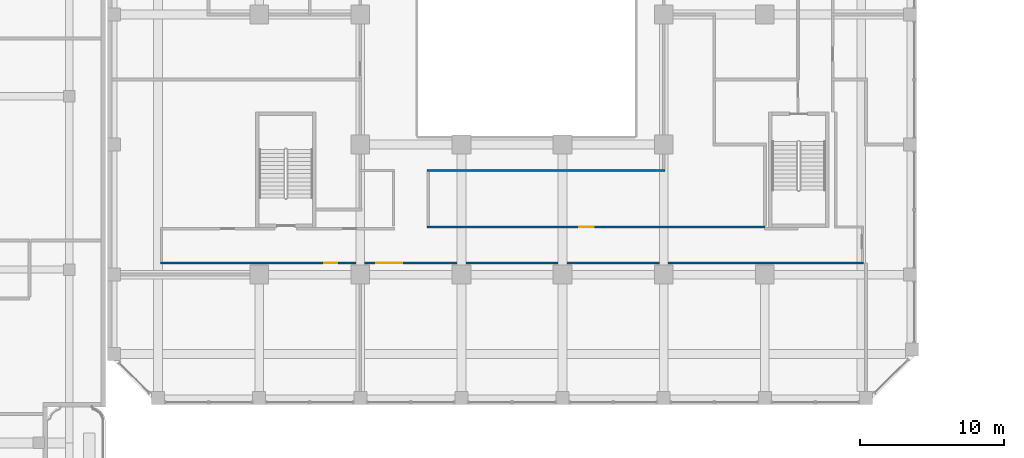
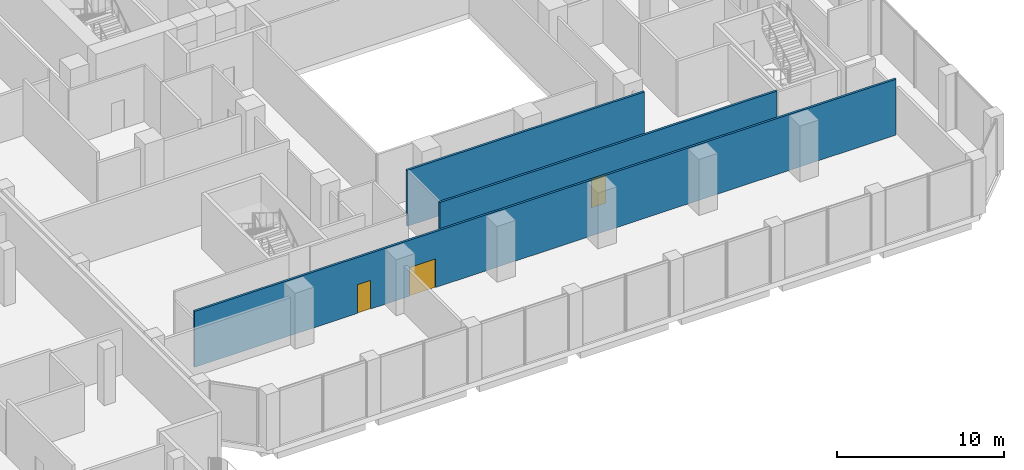
# One storey, part 14 of 35: 3 doors, 3 walls, 3 openings.
"""IFC4 building model written with IfcOpenShell, lengths in metres."""

from ifc_helpers import new_model, si_unit, direction, frame, frame_2d, origin, place, context, subcontext, project, spatial, rectangle, extrude, material, layer, layer_set, type_object, element, fill, save


model = new_model("IFC4")

# Units and contexts
model_context = context("Model", 3, precision=1e-05, world=origin(), true_north=direction((0.0, 1.0)))
body_context = subcontext(model_context, "Body", "Model", "MODEL_VIEW")
ifc_project = project(units=[si_unit("LENGTHUNIT", "METRE"), si_unit("AREAUNIT", "SQUARE_METRE"), si_unit("VOLUMEUNIT", "CUBIC_METRE"), si_unit("PLANEANGLEUNIT", "RADIAN"), si_unit("MASSUNIT", "GRAM", prefix="KILO")], contexts=[model_context])

# Site, building, storey
site_placement = place(None, origin())
site = spatial("IfcSite", under=ifc_project, at=site_placement, CompositionType="ELEMENT")
building_placement = place(site_placement, origin())
building = spatial("IfcBuilding", under=site, at=building_placement, Name="Kilnfold Tower and Market Hall", CompositionType="ELEMENT")
storey_placement = place(building_placement, frame((0.0, 0.0, 13.5)))
storey = spatial("IfcBuildingStorey", under=building, at=storey_placement, Name="L02", CompositionType="ELEMENT", Elevation=13.5)

# Wall, openings, doors
ifc_material_1 = material(Name="Gypsum board on steel studs", Category="steel")
ifc_layer = layer(ifc_material_1, 0.14990234375)
ifc_layer_set = layer_set([ifc_layer], Name="Gypsum board on steel studs")
wall_type = type_object("IfcWallType", Name="WALL CORRIDOR 150", PredefinedType="PARTITIONING", material=ifc_layer_set)
wall_1_placement = place(storey_placement, frame((-24.324951171875, -18.199951171875, 0.0), z_axis=(0.0, 0.0, 1.0), x_axis=(1.0, 0.0, 0.0)))
wall_1 = element("IfcWall", 1, at=wall_1_placement, inside=storey, type_object=wall_type, Name="Partition LY03.1", PredefinedType="PARTITIONING", context=body_context, shape_type="SweptSolid", body=[
    extrude(rectangle(XDim=48.64990234375, YDim=0.14990234375, at=frame_2d((24.324951171875, 0.0))), origin(), (0.0, 0.0, 1.0), 4.10009765625),
])
opening_1_placement = place(wall_1_placement, frame((11.31396484375, 0.0, 0.0)))
opening_1 = element("IfcOpeningElement", 2, at=opening_1_placement, cuts=wall_1, Name="Opening D2", PredefinedType="OPENING", context=body_context, shape_type="SweptSolid", body=[
    extrude(rectangle(XDim=0.89990234375, YDim=2.10009765625, at=frame_2d((0.449951171875, 1.050048828125))), frame((0.0, 0.0849609375, 0.0), z_axis=(0.0, -1.0, 0.0), x_axis=(1.0, 0.0, 0.0)), (0.0, 0.0, 1.0), 0.169921875),
])
opening_2_placement = place(wall_1_placement, frame((14.916015625, 0.0, 0.0)))
opening_2 = element("IfcOpeningElement", 3, at=opening_2_placement, cuts=wall_1, Name="Opening D5", PredefinedType="OPENING", context=body_context, shape_type="SweptSolid", body=[
    extrude(rectangle(XDim=1.800048828125, YDim=2.10009765625, at=frame_2d((0.89990234375, 1.050048828125))), frame((0.0, 0.0849609375, 0.0), z_axis=(0.0, -1.0, 0.0), x_axis=(1.0, 0.0, 0.0)), (0.0, 0.0, 1.0), 0.169921875),
])
ifc_material_2 = material(Name="Timber veneer door leaf in steel frame", Category="steel")
door_type_1 = type_object("IfcDoorType", Name="DOOR DOUBLE 1800 X2100", OperationType="NOTDEFINED", PredefinedType="DOOR", material=ifc_material_2)
door_1_placement = place(opening_2_placement, origin())
door_1 = element("IfcDoor", 4, at=door_1_placement, inside=storey, type_object=door_type_1, Name="Door D5", OperationType="DOUBLE_DOOR_SINGLE_SWING", OverallHeight=2.10009765625, OverallWidth=1.800048828125, PredefinedType="DOOR", context=body_context, shape_type="SweptSolid", body=[
    extrude(rectangle(XDim=1.800048828125, YDim=2.10009765625, at=frame_2d((0.89990234375, 1.050048828125))), frame((0.0, 0.02490234375, 0.0), z_axis=(0.0, -1.0, 0.0), x_axis=(1.0, 0.0, 0.0)), (0.0, 0.0, 1.0), 0.050048828125),
])
fill(opening_2, door_1)
ifc_material_3 = material(Name="Timber veneer door leaf in steel frame", Category="steel")
door_type_2 = type_object("IfcDoorType", Name="DOOR ROOM 900 X2100", OperationType="NOTDEFINED", PredefinedType="DOOR", material=ifc_material_3)
door_2_placement = place(opening_1_placement, origin())
door_2 = element("IfcDoor", 5, at=door_2_placement, inside=storey, type_object=door_type_2, Name="Door D2", OperationType="SINGLE_SWING_LEFT", OverallHeight=2.10009765625, OverallWidth=0.89990234375, PredefinedType="DOOR", context=body_context, shape_type="SweptSolid", body=[
    extrude(rectangle(XDim=0.89990234375, YDim=2.10009765625, at=frame_2d((0.449951171875, 1.050048828125))), frame((0.0, 0.02490234375, 0.0), z_axis=(0.0, -1.0, 0.0), x_axis=(1.0, 0.0, 0.0)), (0.0, 0.0, 1.0), 0.050048828125),
])
fill(opening_1, door_2)

# Wall
wall_2_placement = place(storey_placement, frame((-5.875, -11.800048828125, 0.0), z_axis=(0.0, 0.0, 1.0), x_axis=(1.0, 0.0, 0.0)))
element("IfcWall", 6, at=wall_2_placement, inside=storey, type_object=wall_type, Name="Partition LY03.20", PredefinedType="PARTITIONING", context=body_context, shape_type="SweptSolid", body=[
    extrude(rectangle(XDim=16.449951171875, YDim=0.14990234375, at=frame_2d((8.22509765625, 0.0))), origin(), (0.0, 0.0, 1.0), 4.10009765625),
])

# Wall, opening, door
wall_3_placement = place(storey_placement, frame((-5.875, -15.699951171875, 0.0), z_axis=(0.0, 0.0, 1.0), x_axis=(1.0, 0.0, 0.0)))
wall_3 = element("IfcWall", 7, at=wall_3_placement, inside=storey, type_object=wall_type, Name="Partition LY03.22", PredefinedType="PARTITIONING", context=body_context, shape_type="SweptSolid", body=[
    extrude(rectangle(XDim=23.385009765625, YDim=0.14990234375, at=frame_2d((11.6923828125, 0.0))), origin(), (0.0, 0.0, 1.0), 4.10009765625),
])
opening_3_placement = place(wall_3_placement, frame((10.5400390625, 0.0, 0.0)))
opening_3 = element("IfcOpeningElement", 8, at=opening_3_placement, cuts=wall_3, Name="Opening D1", PredefinedType="OPENING", context=body_context, shape_type="SweptSolid", body=[
    extrude(rectangle(XDim=1.0, YDim=2.10009765625, at=frame_2d((0.5, 1.050048828125))), frame((0.0, 0.0849609375, 0.0), z_axis=(0.0, -1.0, 0.0), x_axis=(1.0, 0.0, 0.0)), (0.0, 0.0, 1.0), 0.169921875),
])
ifc_material_4 = material(Name="Timber veneer door leaf in steel frame", Category="steel")
door_type_3 = type_object("IfcDoorType", Name="DOOR ENTRY 1000 X2100", OperationType="NOTDEFINED", PredefinedType="DOOR", material=ifc_material_4)
door_3_placement = place(opening_3_placement, origin())
door_3 = element("IfcDoor", 9, at=door_3_placement, inside=storey, type_object=door_type_3, Name="Door D1", OperationType="SINGLE_SWING_LEFT", OverallHeight=2.10009765625, OverallWidth=1.0, PredefinedType="DOOR", context=body_context, shape_type="SweptSolid", body=[
    extrude(rectangle(XDim=1.0, YDim=2.10009765625, at=frame_2d((0.5, 1.050048828125))), frame((0.0, 0.02490234375, 0.0), z_axis=(0.0, -1.0, 0.0), x_axis=(1.0, 0.0, 0.0)), (0.0, 0.0, 1.0), 0.050048828125),
])
fill(opening_3, door_3)

save(model, "model.ifc")
